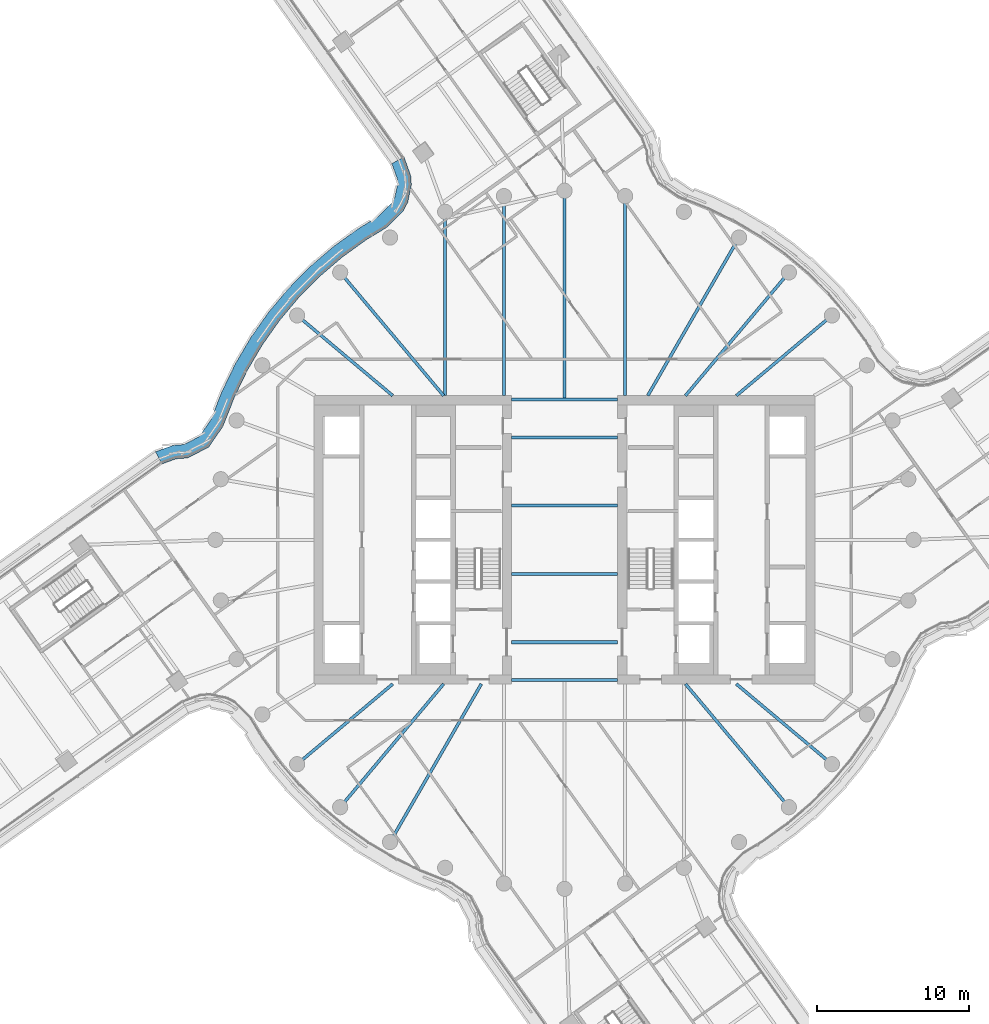
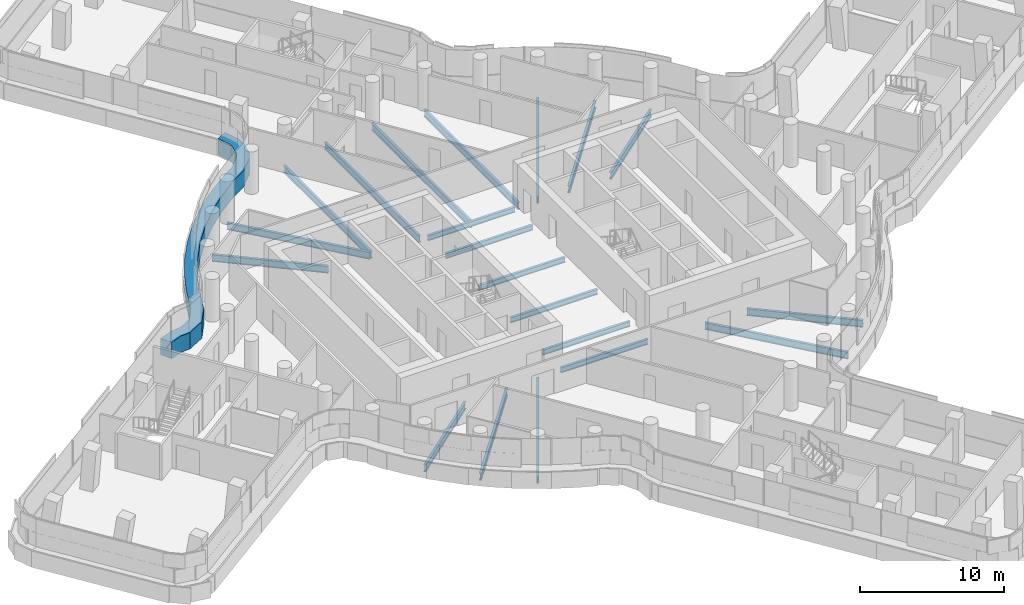
# One storey, part 9 of 31: 20 beams, 1 member, 1 element without a shape of its own.
"""IFC4 building model written with IfcOpenShell, lengths in metres."""

from ifc_helpers import new_model, si_unit, direction, frame, origin, origin_2d, place, context, subcontext, project, spatial, polyline, i_section, outline, extrude, material, layer, layer_set, material_profile, profile_set, type_object, element, aggregate, save


model = new_model("IFC4")

# Units and contexts
model_context = context("Model", 3, precision=1e-05, world=origin(), true_north=direction((0.0, 1.0)))
body_context = subcontext(model_context, "Body", "Model", "MODEL_VIEW")
ifc_project = project(units=[si_unit("LENGTHUNIT", "METRE"), si_unit("AREAUNIT", "SQUARE_METRE"), si_unit("VOLUMEUNIT", "CUBIC_METRE"), si_unit("PLANEANGLEUNIT", "RADIAN"), si_unit("MASSUNIT", "GRAM", prefix="KILO")], contexts=[model_context])

# Site, building, storey
site_placement = place(None, origin())
site = spatial("IfcSite", under=ifc_project, at=site_placement, CompositionType="ELEMENT")
building_placement = place(site_placement, origin())
building = spatial("IfcBuilding", under=site, at=building_placement, Name="Tamarind Cross Interchange Tower", CompositionType="ELEMENT")
storey_placement = place(building_placement, frame((0.0, 0.0, 163.0)))
storey = spatial("IfcBuildingStorey", under=building, at=storey_placement, Name="L40", CompositionType="ELEMENT", Elevation=163.0)

# Beams
ifc_material_1 = material(Name="Steel Q355B", Category="steel")
ifc_material_profile_1 = material_profile(ifc_material_1, i_section(OverallWidth=0.198974609375, OverallDepth=0.446044921875, WebThickness=0.008056640625, FlangeThickness=0.011962890625, FilletRadius=0.012939453125, at=origin_2d()), Name="HN 446x199x8x12")
ifc_profile_set_1 = profile_set([ifc_material_profile_1], Name="Steel Q355B")
beam_type_1 = type_object("IfcBeamType", Name="Composite beam HN 446x199x8x12 Q355B", PredefinedType="BEAM", material=ifc_profile_set_1)
for number, where, z_axis, x_axis, name in (
    (1, (-3.5, -2.25, -0.363037109375), (1.0, 0.0, 0.0), (0.0, 1.0, 0.0), "Beam G-2.25"),
    (2, (-3.5, -6.75, -0.363037109375), (1.0, 0.0, 0.0), (0.0, 1.0, 0.0), "Beam G-6.75"),
    (3, (-3.5, -9.25, -0.363037109375), (1.0, 0.0, 0.0), (0.0, 1.0, 0.0), "Beam G-9.25"),
    (4, (-3.5, 2.25, -0.363037109375), (1.0, 0.0, 0.0), (0.0, 1.0, 0.0), "Beam G2.25"),
    (5, (-3.5, 6.75, -0.363037109375), (1.0, 0.0, 0.0), (0.0, 1.0, 0.0), "Beam G6.75"),
    (6, (-3.5, 9.25, -0.363037109375), (1.0, 0.0, 0.0), (0.0, 1.0, 0.0), "Beam G9.25"),
):
    element("IfcBeam", number, at=place(storey_placement, frame(where, z_axis=z_axis, x_axis=x_axis)), inside=storey, type_object=beam_type_1, Name=name, PredefinedType="BEAM", context=body_context, shape_type="SweptSolid", body=[
        extrude(i_section(OverallWidth=0.198974609375, OverallDepth=0.446044921875, WebThickness=0.008056640625, FlangeThickness=0.011962890625, FilletRadius=0.012939453125, at=origin_2d()), origin(), (0.0, 0.0, 1.0), 7.0),
    ])
ifc_material_profile_2 = material_profile(ifc_material_1, i_section(OverallWidth=0.198974609375, OverallDepth=0.595947265625, WebThickness=0.010009765625, FlangeThickness=0.014892578125, FilletRadius=0.012939453125, at=origin_2d()), Name="HN 596x199x10x15")
ifc_profile_set_2 = profile_set([ifc_material_profile_2], Name="Steel Q355B")
beam_type_2 = type_object("IfcBeamType", Name="Composite beam HN 596x199x10x15 Q355B", PredefinedType="BEAM", material=ifc_profile_set_2)
beam_1_placement = place(storey_placement, frame((17.619140625, 14.7841796875, -0.43798828125), z_axis=(-0.766040580814, -0.642792212574, 0.0), x_axis=(0.642792212574, -0.766040580814, 0.0)))
element("IfcBeam", 7, at=beam_1_placement, inside=storey, type_object=beam_type_2, Name="Beam HH04", PredefinedType="BEAM", context=body_context, shape_type="SweptSolid", body=[
    extrude(i_section(OverallWidth=0.198974609375, OverallDepth=0.595947265625, WebThickness=0.010009765625, FlangeThickness=0.014892578125, FilletRadius=0.012939453125, at=origin_2d()), origin(), (0.0, 0.0, 1.0), 8.220703125),
])
beam_2_placement = place(storey_placement, frame((14.7841796875, 17.619140625, -0.43798828125), z_axis=(-0.642786293979, -0.766045547127, 0.0), x_axis=(0.766045547127, -0.642786293979, 0.0)))
element("IfcBeam", 8, at=beam_2_placement, inside=storey, type_object=beam_type_2, Name="Beam HH05", PredefinedType="BEAM", context=body_context, shape_type="SweptSolid", body=[
    extrude(i_section(OverallWidth=0.198974609375, OverallDepth=0.595947265625, WebThickness=0.010009765625, FlangeThickness=0.014892578125, FilletRadius=0.012939453125, at=origin_2d()), origin(), (0.0, 0.0, 1.0), 10.598876953125),
])
beam_3_placement = place(storey_placement, frame((11.5, 19.918701171875, -0.43798828125), z_axis=(-0.499993565836, -0.866029118519, 0.0), x_axis=(0.866029118519, -0.499993565836, 0.0)))
element("IfcBeam", 9, at=beam_3_placement, inside=storey, type_object=beam_type_2, Name="Beam HH06", PredefinedType="BEAM", context=body_context, shape_type="SweptSolid", body=[
    extrude(i_section(OverallWidth=0.198974609375, OverallDepth=0.595947265625, WebThickness=0.010009765625, FlangeThickness=0.014892578125, FilletRadius=0.012939453125, at=origin_2d()), origin(), (0.0, 0.0, 1.0), 12.030517578125),
])
beam_4_placement = place(storey_placement, frame((3.993896484375, 22.650634765625, -0.43798828125), z_axis=(0.0, -1.0, 0.0), x_axis=(1.0, 0.0, 0.0)))
element("IfcBeam", 10, at=beam_4_placement, inside=storey, type_object=beam_type_2, Name="Beam HH08", PredefinedType="BEAM", context=body_context, shape_type="SweptSolid", body=[
    extrude(i_section(OverallWidth=0.198974609375, OverallDepth=0.595947265625, WebThickness=0.010009765625, FlangeThickness=0.014892578125, FilletRadius=0.012939453125, at=origin_2d()), origin(), (0.0, 0.0, 1.0), 13.150634765625),
])
beam_5_placement = place(storey_placement, frame((0.0, 23.0, -0.43798828125), z_axis=(0.0, -1.0, 0.0), x_axis=(1.0, 0.0, 0.0)))
element("IfcBeam", 11, at=beam_5_placement, inside=storey, type_object=beam_type_2, Name="Beam HH09", PredefinedType="BEAM", context=body_context, shape_type="SweptSolid", body=[
    extrude(i_section(OverallWidth=0.198974609375, OverallDepth=0.595947265625, WebThickness=0.010009765625, FlangeThickness=0.014892578125, FilletRadius=0.012939453125, at=origin_2d()), origin(), (0.0, 0.0, 1.0), 13.75),
])
beam_6_placement = place(storey_placement, frame((-3.993896484375, 22.650634765625, -0.43798828125), z_axis=(0.0, -1.0, 0.0), x_axis=(1.0, 0.0, 0.0)))
element("IfcBeam", 12, at=beam_6_placement, inside=storey, type_object=beam_type_2, Name="Beam HH10", PredefinedType="BEAM", context=body_context, shape_type="SweptSolid", body=[
    extrude(i_section(OverallWidth=0.198974609375, OverallDepth=0.595947265625, WebThickness=0.010009765625, FlangeThickness=0.014892578125, FilletRadius=0.012939453125, at=origin_2d()), origin(), (0.0, 0.0, 1.0), 13.150634765625),
])
beam_7_placement = place(storey_placement, frame((-7.866455078125, 21.613037109375, -0.43798828125), z_axis=(0.0, -1.0, 0.0), x_axis=(1.0, 0.0, 0.0)))
element("IfcBeam", 13, at=beam_7_placement, inside=storey, type_object=beam_type_2, Name="Beam HH11", PredefinedType="BEAM", context=body_context, shape_type="SweptSolid", body=[
    extrude(i_section(OverallWidth=0.198974609375, OverallDepth=0.595947265625, WebThickness=0.010009765625, FlangeThickness=0.014892578125, FilletRadius=0.012939453125, at=origin_2d()), origin(), (0.0, 0.0, 1.0), 12.113037109375),
])
beam_8_placement = place(storey_placement, frame((-14.7841796875, 17.619140625, -0.43798828125), z_axis=(0.642786293979, -0.766045547127, 0.0), x_axis=(0.766045547127, 0.642786293979, 0.0)))
element("IfcBeam", 14, at=beam_8_placement, inside=storey, type_object=beam_type_2, Name="Beam HH13", PredefinedType="BEAM", context=body_context, shape_type="SweptSolid", body=[
    extrude(i_section(OverallWidth=0.198974609375, OverallDepth=0.595947265625, WebThickness=0.010009765625, FlangeThickness=0.014892578125, FilletRadius=0.012939453125, at=origin_2d()), origin(), (0.0, 0.0, 1.0), 10.598876953125),
])
for number, where, z_axis, x_axis, name in (
    (15, (-17.619140625, 14.7841796875, -0.43798828125), (0.766040580814, -0.642792212574, 0.0), (0.642792212574, 0.766040580814, 0.0), "Beam HH14"),
    (16, (-17.619140625, -14.7841796875, -0.43798828125), (0.766040580814, 0.642792212574, 0.0), (-0.642792212574, 0.766040580814, 0.0), "Beam HH22"),
):
    element("IfcBeam", number, at=place(storey_placement, frame(where, z_axis=z_axis, x_axis=x_axis)), inside=storey, type_object=beam_type_2, Name=name, PredefinedType="BEAM", context=body_context, shape_type="SweptSolid", body=[
        extrude(i_section(OverallWidth=0.198974609375, OverallDepth=0.595947265625, WebThickness=0.010009765625, FlangeThickness=0.014892578125, FilletRadius=0.012939453125, at=origin_2d()), origin(), (0.0, 0.0, 1.0), 8.220703125),
    ])
beam_9_placement = place(storey_placement, frame((-14.7841796875, -17.619140625, -0.43798828125), z_axis=(0.642786293979, 0.766045547127, 0.0), x_axis=(-0.766045547127, 0.642786293979, 0.0)))
element("IfcBeam", 17, at=beam_9_placement, inside=storey, type_object=beam_type_2, Name="Beam HH23", PredefinedType="BEAM", context=body_context, shape_type="SweptSolid", body=[
    extrude(i_section(OverallWidth=0.198974609375, OverallDepth=0.595947265625, WebThickness=0.010009765625, FlangeThickness=0.014892578125, FilletRadius=0.012939453125, at=origin_2d()), origin(), (0.0, 0.0, 1.0), 10.598876953125),
])
beam_10_placement = place(storey_placement, frame((-11.5, -19.918701171875, -0.43798828125), z_axis=(0.499993565836, 0.866029118519, 0.0), x_axis=(-0.866029118519, 0.499993565836, 0.0)))
element("IfcBeam", 18, at=beam_10_placement, inside=storey, type_object=beam_type_2, Name="Beam HH24", PredefinedType="BEAM", context=body_context, shape_type="SweptSolid", body=[
    extrude(i_section(OverallWidth=0.198974609375, OverallDepth=0.595947265625, WebThickness=0.010009765625, FlangeThickness=0.014892578125, FilletRadius=0.012939453125, at=origin_2d()), origin(), (0.0, 0.0, 1.0), 12.030517578125),
])
beam_11_placement = place(storey_placement, frame((14.7841796875, -17.619140625, -0.43798828125), z_axis=(-0.642786293979, 0.766045547127, 0.0), x_axis=(-0.766045547127, -0.642786293979, 0.0)))
element("IfcBeam", 19, at=beam_11_placement, inside=storey, type_object=beam_type_2, Name="Beam HH31", PredefinedType="BEAM", context=body_context, shape_type="SweptSolid", body=[
    extrude(i_section(OverallWidth=0.198974609375, OverallDepth=0.595947265625, WebThickness=0.010009765625, FlangeThickness=0.014892578125, FilletRadius=0.012939453125, at=origin_2d()), origin(), (0.0, 0.0, 1.0), 10.598876953125),
])
beam_12_placement = place(storey_placement, frame((17.619140625, -14.7841796875, -0.43798828125), z_axis=(-0.766040580814, 0.642792212574, 0.0), x_axis=(-0.642792212574, -0.766040580814, 0.0)))
element("IfcBeam", 20, at=beam_12_placement, inside=storey, type_object=beam_type_2, Name="Beam HH32", PredefinedType="BEAM", context=body_context, shape_type="SweptSolid", body=[
    extrude(i_section(OverallWidth=0.198974609375, OverallDepth=0.595947265625, WebThickness=0.010009765625, FlangeThickness=0.014892578125, FilletRadius=0.012939453125, at=origin_2d()), origin(), (0.0, 0.0, 1.0), 8.220703125),
])

# Curtain wall, member
ifc_material_2 = material(Name="Aluminium 6063-T6", Category="aluminium")
ifc_layer = layer(ifc_material_2, 0.159912109375)
ifc_layer_set = layer_set([ifc_layer], Name="Aluminium 6063-T6")
curtain_wall_type = type_object("IfcCurtainWallType", Name="Office curtain wall, 9.0 m bays", PredefinedType="NOTDEFINED", material=ifc_layer_set)
curtain_wall_placement = place(storey_placement, origin())
curtain_wall = element("IfcCurtainWall", 21, at=curtain_wall_placement, inside=storey, type_object=curtain_wall_type, Name="CWS-L40-10", PredefinedType="NOTDEFINED")
ifc_material_3 = material(Name="Aluminium and insulated spandrel panel", Category="aluminium")
member_type = type_object("IfcMemberType", Name="Floor-edge blade transom", PredefinedType="USERDEFINED", material=ifc_material_3)
member_placement = place(storey_placement, origin())
member = element("IfcMember", 22, at=member_placement, type_object=member_type, Name="CWT-L40-10", ObjectType="TRANSOM", PredefinedType="USERDEFINED", context=body_context, shape_type="SweptSolid", body=[
    extrude(outline(polyline([(-10.57421875, 25.2158203125), (-10.13525390625, 23.9921875), (-10.0927734375, 23.376708984375), (-10.3310546875, 22.240234375), (-10.619140625, 21.690185546875), (-11.727294921875, 20.576904296875), (-13.04541015625, 19.781494140625), (-14.634521484375, 18.636474609375), (-16.12353515625, 17.3642578125), (-17.50244140625, 15.973388671875), (-18.76171875, 14.4736328125), (-19.892822265625, 12.874755859375), (-20.88818359375, 11.188232421875), (-21.7412109375, 9.423583984375), (-22.521484375, 7.455078125), (-23.452880859375, 6.105224609375), (-24.8251953125, 5.393798828125), (-25.5986328125, 5.335205078125), (-26.531982421875, 4.996826171875), (-26.95458984375, 5.80078125), (-25.78955078125, 6.223388671875), (-25.076416015625, 6.27734375), (-24.066162109375, 6.801025390625), (-23.320556640625, 7.8818359375), (-22.56591796875, 9.785888671875), (-21.68212890625, 11.613525390625), (-20.64892578125, 13.3642578125), (-19.474853515625, 15.023681640625), (-18.167724609375, 16.580810546875), (-16.736572265625, 18.0244140625), (-15.19091796875, 19.344970703125), (-13.541748046875, 20.532958984375), (-12.287109375, 21.290283203125), (-11.35302734375, 22.228515625), (-11.186279296875, 22.547119140625), (-10.999267578125, 23.439208984375), (-11.024658203125, 23.8056640625), (-11.379638671875, 24.79541015625), (-10.57421875, 25.2158203125)])), origin(), (0.0, 0.0, 1.0), 1.39990234375),
])
aggregate(curtain_wall, [member])

save(model, "model.ifc")
